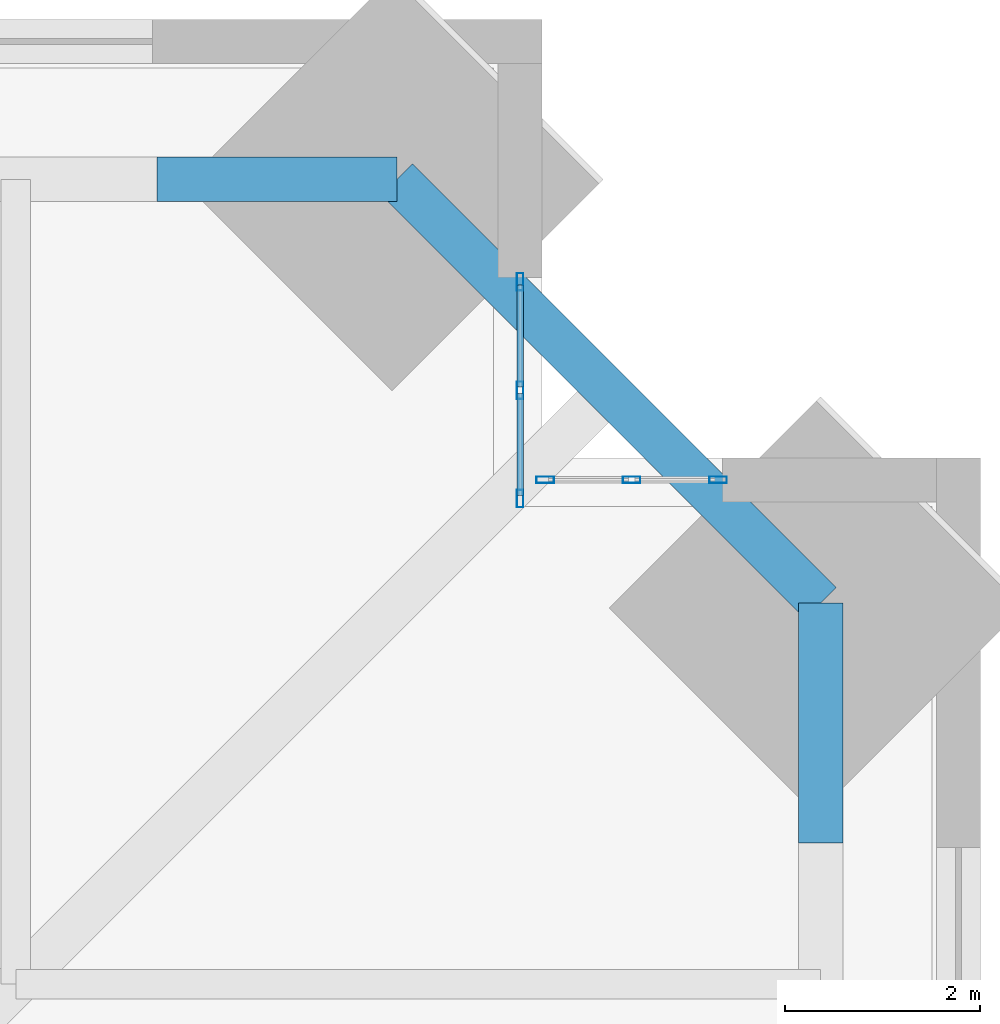
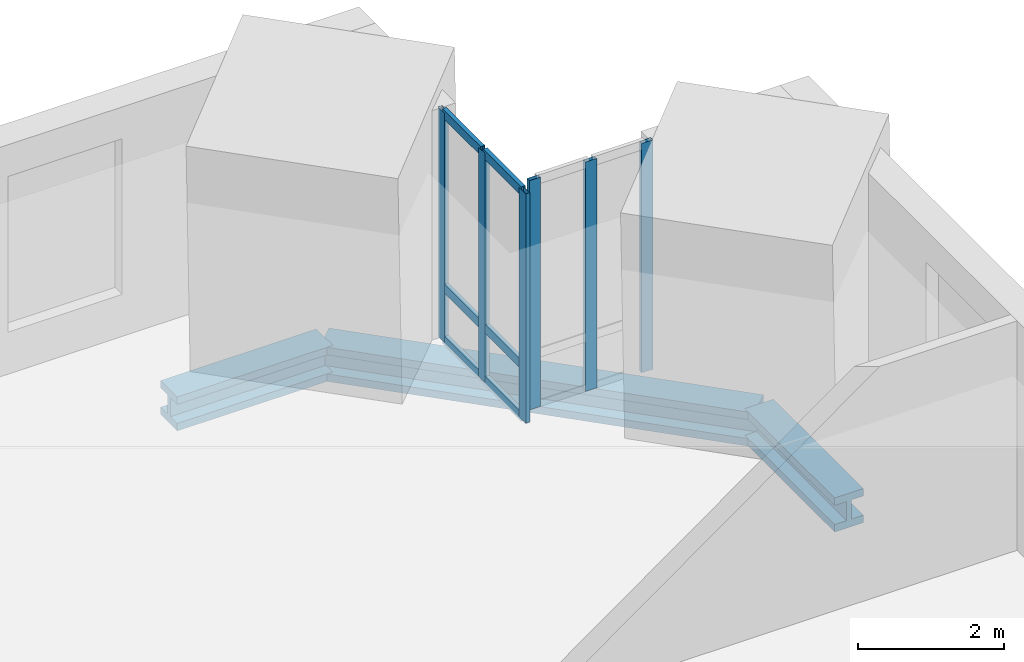
# One storey, part 8 of 15: 14 members, 1 beam, 2 elements without a shape of their own.
"""IFC4 building model written with IfcOpenShell, lengths in metres."""

import ifcopenshell
import ifcopenshell.guid

model = None  # the IFC model being written
_history = None  # IfcOwnerHistory: only IFC2X3 demands one
_inside = {}  # id of a spatial element -> (the spatial element, [elements in it])
_under = {}  # id of a project, library or spatial element -> (it, [spatial elements below it])
_declared = {}  # id of a project -> (the project, [libraries it declares])
_typed = {}  # id of a type object -> (the type object, [elements of that type])
_made_of = {}  # id of a material, layer set ... -> (it, [elements and type objects made of it])


def new_model(schema):
    """Start an empty IFC model of exactly this schema.

    Asked for "IFC4X3", IfcOpenShell would pick the latest addendum, in which some entities
    have other attributes; the version numbers below select the first issue.
    IFC2X3 requires an IfcOwnerHistory on every rooted entity: one is made here for all.
    """
    global model, _history
    if schema == "IFC4X3":
        model = ifcopenshell.file(schema_version=(4, 3, 0, 0))
    else:
        model = ifcopenshell.file(schema=schema)
    _inside.clear()
    _under.clear()
    _declared.clear()
    _typed.clear()
    _made_of.clear()
    _history = None
    if model.schema == "IFC2X3":
        org = make("IfcOrganization", Name="unknown")
        user = make(
            "IfcPersonAndOrganization",
            ThePerson=make("IfcPerson", FamilyName="unknown"),
            TheOrganization=org,
        )
        app = make(
            "IfcApplication",
            ApplicationDeveloper=org,
            Version="unknown",
            ApplicationFullName="unknown",
            ApplicationIdentifier="unknown",
        )
        _history = make(
            "IfcOwnerHistory",
            OwningUser=user,
            OwningApplication=app,
            ChangeAction="ADDED",
            CreationDate=0,
        )
    return model


def make(cls, **values):
    """One entity of the class cls with the attributes given. An attribute that is None is left unset."""
    return model.create_entity(
        cls, **{name: value for name, value in values.items() if value is not None}
    )


def rooted(cls, **values):
    """An entity with a GlobalId (a new one), such as an element, a storey or a relation."""
    return make(cls, GlobalId=ifcopenshell.guid.new(), OwnerHistory=_history, **values)


def si_unit(unit_type, name, prefix=None):
    """IfcSIUnit, for example si_unit("LENGTHUNIT", "METRE", prefix="MILLI")."""
    return make("IfcSIUnit", UnitType=unit_type, Prefix=prefix, Name=name)


def assignment(units):
    """IfcUnitAssignment: the units of a project."""
    return None if units is None else make("IfcUnitAssignment", Units=units)


def point(xyz):
    """IfcCartesianPoint."""
    return None if xyz is None else make("IfcCartesianPoint", Coordinates=xyz)


def direction(xyz):
    """IfcDirection."""
    return None if xyz is None else make("IfcDirection", DirectionRatios=xyz)


def frame(location, z_axis=None, x_axis=None):
    """IfcAxis2Placement3D, a coordinate frame: its origin and axes. An axis left out is left unset."""
    return make(
        "IfcAxis2Placement3D",
        Location=point(location),
        Axis=direction(z_axis),
        RefDirection=direction(x_axis),
    )


def frame_2d(location, x_axis=None):
    """IfcAxis2Placement2D, a coordinate frame in the plane: its origin and x axis."""
    return make(
        "IfcAxis2Placement2D", Location=point(location), RefDirection=direction(x_axis)
    )


def origin():
    """The frame at (0, 0, 0) with its axes left unset."""
    return frame((0.0, 0.0, 0.0))


def origin_2d():
    """The frame at (0, 0) in the plane with its x axis left unset."""
    return frame_2d((0.0, 0.0))


def place(relative_to, where):
    """IfcLocalPlacement: puts the frame where relative to a parent placement (None: the world)."""
    return make(
        "IfcLocalPlacement", PlacementRelTo=relative_to, RelativePlacement=where
    )


def context(
    kind, dimensions, precision=None, world=None, true_north=None, identifier=None
):
    """IfcGeometricRepresentationContext, for example the 3D "Model" context."""
    return make(
        "IfcGeometricRepresentationContext",
        ContextIdentifier=identifier,
        ContextType=kind,
        CoordinateSpaceDimension=dimensions,
        Precision=precision,
        WorldCoordinateSystem=world,
        TrueNorth=true_north,
    )


def subcontext(parent, identifier, kind, view, scale=None):
    """IfcGeometricRepresentationSubContext, for example "Body" below "Model"."""
    return make(
        "IfcGeometricRepresentationSubContext",
        ContextIdentifier=identifier,
        ContextType=kind,
        ParentContext=parent,
        TargetScale=scale,
        TargetView=view,
    )


def project(units=None, contexts=None):
    """IfcProject with its units and contexts."""
    return rooted(
        "IfcProject",
        Name="project",
        RepresentationContexts=contexts,
        UnitsInContext=assignment(units),
    )


def spatial(cls, under=None, at=None, **own):
    """A site, building, storey or space (cls), placed at a placement, below another one or the project."""
    s = rooted(cls, ObjectPlacement=at, **own)
    if under is not None:
        _under.setdefault(under.id(), (under, []))[1].append(s)
    return s


def profile(cls, at=None, kind="AREA", **sizes):
    """A parametric profile (cls). Its sizes go by their IFC names, for example OverallWidth=200.0."""
    return make(cls, ProfileType=kind, Position=at, **sizes)


def hollow_rectangle(**sizes):
    """IfcRectangleHollowProfileDef."""
    return profile("IfcRectangleHollowProfileDef", **sizes)


def i_section(**sizes):
    """IfcIShapeProfileDef."""
    return profile("IfcIShapeProfileDef", **sizes)


def extrude(swept, where, along, depth):
    """IfcExtrudedAreaSolid: the profile swept, set in the frame where, extruded along a direction by depth."""
    return make(
        "IfcExtrudedAreaSolid",
        SweptArea=swept,
        Position=where,
        ExtrudedDirection=direction(along),
        Depth=depth,
    )


def shape(context_of_items, identifier, shape_type, items):
    """IfcShapeRepresentation: the items that make up one representation, for example the "Body"."""
    return make(
        "IfcShapeRepresentation",
        ContextOfItems=context_of_items,
        RepresentationIdentifier=identifier,
        RepresentationType=shape_type,
        Items=items,
    )


def material(Name=None, Category=None):
    """IfcMaterial."""
    return make("IfcMaterial", Name=Name, Category=Category)


def material_profile(
    of_material, cross_section, Name=None, Category=None, Priority=None
):
    """IfcMaterialProfile: a cross section and its material."""
    return make(
        "IfcMaterialProfile",
        Name=Name,
        Material=of_material,
        Profile=cross_section,
        Priority=Priority,
        Category=Category,
    )


def profile_set(profiles, Name=None, composite=None):
    """IfcMaterialProfileSet."""
    return make(
        "IfcMaterialProfileSet",
        Name=Name,
        MaterialProfiles=profiles,
        CompositeProfile=composite,
    )


def made_of(thing, what):
    """Note that an element or type object is made of a material, layer set ...; save() writes the relation."""
    if what is not None:
        _made_of.setdefault(what.id(), (what, []))[1].append(thing)
    return thing


def type_object(cls, material=None, **own):
    """A type object (cls), such as IfcWallType, which elements share."""
    return made_of(rooted(cls, **own), material)


def element(
    cls,
    number,
    at=None,
    inside=None,
    cuts=None,
    type_object=None,
    material=None,
    context=None,
    identifier="Body",
    shape_type=None,
    held_by="IfcProductDefinitionShape",
    body=None,
    shapes=None,
    **own,
):
    """One element of the class cls, such as IfcWall. Its Tag is "e" and its number.

    at: its placement. inside: the storey or other place that contains it. cuts: it is an
    opening in that element (IfcRelVoidsElement). A single representation is given by context,
    identifier, shape_type and body (its items); several are given by shapes. held_by: the class
    of the entity that holds the representations. save() writes the other relations.
    """
    e = rooted(cls, Tag="e%d" % number, ObjectPlacement=at, **own)
    if body is not None:
        shapes = [shape(context, identifier, shape_type, body)]
    if shapes is not None:
        e.Representation = make(held_by, Representations=shapes)
    if inside is not None:
        _inside.setdefault(inside.id(), (inside, []))[1].append(e)
    if cuts is not None:
        rooted(
            "IfcRelVoidsElement", RelatingBuildingElement=cuts, RelatedOpeningElement=e
        )
    if type_object is not None:
        _typed.setdefault(type_object.id(), (type_object, []))[1].append(e)
    return made_of(e, material)


def aggregate(whole, parts):
    """IfcRelAggregates: a whole, such as a stair, and the parts it consists of."""
    return rooted("IfcRelAggregates", RelatingObject=whole, RelatedObjects=parts)


def save(model, path):
    """Write the relations noted so far, then the file.

    IfcRelAggregates (storeys below a building ...), IfcRelContainedInSpatialStructure (elements
    in a storey), IfcRelDefinesByType, IfcRelAssociatesMaterial and IfcRelDeclares: one each for
    every whole, place, type object, material and project.
    """
    for whole, parts in _under.values():
        aggregate(whole, parts)
    for where, things in _inside.values():
        rooted(
            "IfcRelContainedInSpatialStructure",
            RelatedElements=things,
            RelatingStructure=where,
        )
    for kind, things in _typed.values():
        rooted("IfcRelDefinesByType", RelatedObjects=things, RelatingType=kind)
    for what, things in _made_of.values():
        rooted("IfcRelAssociatesMaterial", RelatedObjects=things, RelatingMaterial=what)
    for by, libraries in _declared.values():
        rooted("IfcRelDeclares", RelatingContext=by, RelatedDefinitions=libraries)
    model.write(path)


model = new_model("IFC4")

# Units and contexts
model_context = context("Model", 3, precision=1e-05, world=origin(), true_north=direction((0.0, 1.0)))
body_context = subcontext(model_context, "Body", "Model", "MODEL_VIEW")
ifc_project = project(units=[si_unit("LENGTHUNIT", "METRE"), si_unit("AREAUNIT", "SQUARE_METRE"), si_unit("VOLUMEUNIT", "CUBIC_METRE"), si_unit("PLANEANGLEUNIT", "RADIAN"), si_unit("MASSUNIT", "GRAM", prefix="KILO")], contexts=[model_context])

# Site, building, storey
site_placement = place(None, origin())
site = spatial("IfcSite", under=ifc_project, at=site_placement, CompositionType="ELEMENT")
building_placement = place(site_placement, origin())
building = spatial("IfcBuilding", under=site, at=building_placement, Name="Peilmerk Tower", CompositionType="ELEMENT")
storey_placement = place(building_placement, frame((0.0, 0.0, 201.800048828125)))
storey = spatial("IfcBuildingStorey", under=building, at=storey_placement, Name="L43", CompositionType="ELEMENT", Elevation=201.800048828125)

# Beam
ifc_material_1 = material(Name="Steel S460", Category="steel")
ifc_material_profile_1 = material_profile(ifc_material_1, i_section(OverallWidth=0.4541015625, OverallDepth=0.569091796875, WebThickness=0.077880859375, FlangeThickness=0.125, at=origin_2d()), Name="HD 400x1086")
ifc_profile_set_1 = profile_set([ifc_material_profile_1], Name="Steel S460")
beam_type = type_object("IfcBeamType", Name="B17 HD 400x1086 edge beam", PredefinedType="SPANDREL", material=ifc_profile_set_1)
beam_placement = place(storey_placement, frame((18.40966796875, 22.759765625, -0.45458984375), z_axis=(0.707106781187, -0.707106781187, 0.0), x_axis=(0.707106781187, 0.707106781187, 0.0)))
element("IfcBeam", 1, at=beam_placement, inside=storey, type_object=beam_type, Name="Notch beam L43", PredefinedType="SPANDREL", context=body_context, shape_type="SweptSolid", body=[
    extrude(i_section(OverallWidth=0.4541015625, OverallDepth=0.569091796875, WebThickness=0.077880859375, FlangeThickness=0.125, at=origin_2d()), origin(), (0.0, 0.0, 1.0), 6.15185546875),
])

# Curtain wall, members
ifc_material_2 = material(Name="Aluminium stick curtain wall", Category="aluminium")
curtain_wall_type = type_object("IfcCurtainWallType", Name="CW4 stick curtain wall, 2250 module", PredefinedType="NOTDEFINED", material=ifc_material_2)
curtain_wall_1_placement = place(storey_placement, origin())
curtain_wall_1 = element("IfcCurtainWall", 2, at=curtain_wall_1_placement, inside=storey, type_object=curtain_wall_type, Name="Curtain wall CW4 NEA L43", PredefinedType="NOTDEFINED")
ifc_material_3 = material(Name="Aluminium EN AW-6063 T6", Category="aluminium")
ifc_material_profile_2 = material_profile(ifc_material_3, hollow_rectangle(XDim=0.06494140625, YDim=0.179931640625, WallThickness=0.0029296875, at=origin_2d()), Name="AL 180x65x3")
ifc_profile_set_2 = profile_set([ifc_material_profile_2], Name="Aluminium EN AW-6063 T6")
member_type_1 = type_object("IfcMemberType", Name="CW4-M AL 180x65x3 mullion", PredefinedType="MULLION", material=ifc_profile_set_2)
member_1_placement = place(storey_placement, frame((19.675048828125, 19.482421875, 0.0), z_axis=(0.0, 0.0, 1.0), x_axis=(-1.0, 0.0, 0.0)))
member_1 = element("IfcMember", 3, at=member_1_placement, type_object=member_type_1, Name="CW4 mullion 1", PredefinedType="MULLION", context=body_context, shape_type="SweptSolid", body=[
    extrude(hollow_rectangle(XDim=0.06494140625, YDim=0.179931640625, WallThickness=0.0029296875, at=origin_2d()), origin(), (0.0, 0.0, 1.0), 3.829833984375),
])
member_2_placement = place(storey_placement, frame((19.675048828125, 20.59423828125, 0.0), z_axis=(0.0, 0.0, 1.0), x_axis=(-1.0, 0.0, 0.0)))
member_2 = element("IfcMember", 4, at=member_2_placement, type_object=member_type_1, Name="CW4 mullion 2", PredefinedType="MULLION", context=body_context, shape_type="SweptSolid", body=[
    extrude(hollow_rectangle(XDim=0.06494140625, YDim=0.179931640625, WallThickness=0.0029296875, at=origin_2d()), origin(), (0.0, 0.0, 1.0), 3.829833984375),
])
member_3_placement = place(storey_placement, frame((19.675048828125, 21.706298828125, 0.0), z_axis=(0.0, 0.0, 1.0), x_axis=(-1.0, 0.0, 0.0)))
member_3 = element("IfcMember", 5, at=member_3_placement, type_object=member_type_1, Name="CW4 mullion 3", PredefinedType="MULLION", context=body_context, shape_type="SweptSolid", body=[
    extrude(hollow_rectangle(XDim=0.06494140625, YDim=0.179931640625, WallThickness=0.0029296875, at=origin_2d()), origin(), (0.0, 0.0, 1.0), 3.829833984375),
])

curtain_wall_2_placement = place(storey_placement, origin())
curtain_wall_2 = element("IfcCurtainWall", 6, at=curtain_wall_2_placement, inside=storey, type_object=curtain_wall_type, Name="Curtain wall CW4 NEB L43", PredefinedType="NOTDEFINED")
member_4_placement = place(storey_placement, frame((19.9326171875, 19.675048828125, 0.0), z_axis=(0.0, 0.0, 1.0), x_axis=(0.0, 1.0, 0.0)))
member_4 = element("IfcMember", 7, at=member_4_placement, type_object=member_type_1, Name="CW4 mullion 1", PredefinedType="MULLION", context=body_context, shape_type="SweptSolid", body=[
    extrude(hollow_rectangle(XDim=0.06494140625, YDim=0.179931640625, WallThickness=0.0029296875, at=origin_2d()), origin(), (0.0, 0.0, 1.0), 3.829833984375),
])
member_5_placement = place(storey_placement, frame((20.8193359375, 19.675048828125, 0.0), z_axis=(0.0, 0.0, 1.0), x_axis=(0.0, 1.0, 0.0)))
member_5 = element("IfcMember", 8, at=member_5_placement, type_object=member_type_1, Name="CW4 mullion 2", PredefinedType="MULLION", context=body_context, shape_type="SweptSolid", body=[
    extrude(hollow_rectangle(XDim=0.06494140625, YDim=0.179931640625, WallThickness=0.0029296875, at=origin_2d()), origin(), (0.0, 0.0, 1.0), 3.829833984375),
])
member_6_placement = place(storey_placement, frame((21.706298828125, 19.675048828125, 0.0), z_axis=(0.0, 0.0, 1.0), x_axis=(0.0, 1.0, 0.0)))
member_6 = element("IfcMember", 9, at=member_6_placement, type_object=member_type_1, Name="CW4 mullion 3", PredefinedType="MULLION", context=body_context, shape_type="SweptSolid", body=[
    extrude(hollow_rectangle(XDim=0.06494140625, YDim=0.179931640625, WallThickness=0.0029296875, at=origin_2d()), origin(), (0.0, 0.0, 1.0), 3.829833984375),
])
aggregate(curtain_wall_2, [member_4, member_5, member_6])

# Member
ifc_material_profile_3 = material_profile(ifc_material_3, hollow_rectangle(XDim=0.06494140625, YDim=0.14990234375, WallThickness=0.0029296875, at=origin_2d()), Name="AL 150x65x3")
ifc_profile_set_3 = profile_set([ifc_material_profile_3], Name="Aluminium EN AW-6063 T6")
member_type_2 = type_object("IfcMemberType", Name="CW4-T AL 150x65x3 transom", PredefinedType="USERDEFINED", material=ifc_profile_set_3)
member_7_placement = place(storey_placement, frame((19.675048828125, 19.514892578125, 0.032470703125), z_axis=(0.0, 1.0, 0.0), x_axis=(-1.0, 0.0, 0.0)))
member_7 = element("IfcMember", 10, at=member_7_placement, type_object=member_type_2, Name="CW4 transom 1.1", ObjectType="TRANSOM", PredefinedType="USERDEFINED", context=body_context, shape_type="SweptSolid", body=[
    extrude(hollow_rectangle(XDim=0.06494140625, YDim=0.14990234375, WallThickness=0.0029296875, at=origin_2d()), origin(), (0.0, 0.0, 1.0), 1.046875),
])

member_8_placement = place(storey_placement, frame((19.675048828125, 19.514892578125, 0.89990234375), z_axis=(0.0, 1.0, 0.0), x_axis=(-1.0, 0.0, 0.0)))
member_8 = element("IfcMember", 11, at=member_8_placement, type_object=member_type_2, Name="CW4 transom 1.2", ObjectType="TRANSOM", PredefinedType="USERDEFINED", context=body_context, shape_type="SweptSolid", body=[
    extrude(hollow_rectangle(XDim=0.06494140625, YDim=0.14990234375, WallThickness=0.0029296875, at=origin_2d()), origin(), (0.0, 0.0, 1.0), 1.046875),
])

member_9_placement = place(storey_placement, frame((19.675048828125, 19.514892578125, 3.79736328125), z_axis=(0.0, 1.0, 0.0), x_axis=(-1.0, 0.0, 0.0)))
member_9 = element("IfcMember", 12, at=member_9_placement, type_object=member_type_2, Name="CW4 transom 1.3", ObjectType="TRANSOM", PredefinedType="USERDEFINED", context=body_context, shape_type="SweptSolid", body=[
    extrude(hollow_rectangle(XDim=0.06494140625, YDim=0.14990234375, WallThickness=0.0029296875, at=origin_2d()), origin(), (0.0, 0.0, 1.0), 1.046875),
])

member_10_placement = place(storey_placement, frame((19.675048828125, 20.626953125, 0.032470703125), z_axis=(0.0, 1.0, 0.0), x_axis=(-1.0, 0.0, 0.0)))
member_10 = element("IfcMember", 13, at=member_10_placement, type_object=member_type_2, Name="CW4 transom 2.1", ObjectType="TRANSOM", PredefinedType="USERDEFINED", context=body_context, shape_type="SweptSolid", body=[
    extrude(hollow_rectangle(XDim=0.06494140625, YDim=0.14990234375, WallThickness=0.0029296875, at=origin_2d()), origin(), (0.0, 0.0, 1.0), 1.046630859375),
])

member_11_placement = place(storey_placement, frame((19.675048828125, 20.626953125, 0.89990234375), z_axis=(0.0, 1.0, 0.0), x_axis=(-1.0, 0.0, 0.0)))
member_11 = element("IfcMember", 14, at=member_11_placement, type_object=member_type_2, Name="CW4 transom 2.2", ObjectType="TRANSOM", PredefinedType="USERDEFINED", context=body_context, shape_type="SweptSolid", body=[
    extrude(hollow_rectangle(XDim=0.06494140625, YDim=0.14990234375, WallThickness=0.0029296875, at=origin_2d()), origin(), (0.0, 0.0, 1.0), 1.046630859375),
])

member_12_placement = place(storey_placement, frame((19.675048828125, 20.626953125, 3.79736328125), z_axis=(0.0, 1.0, 0.0), x_axis=(-1.0, 0.0, 0.0)))
member_12 = element("IfcMember", 15, at=member_12_placement, type_object=member_type_2, Name="CW4 transom 2.3", ObjectType="TRANSOM", PredefinedType="USERDEFINED", context=body_context, shape_type="SweptSolid", body=[
    extrude(hollow_rectangle(XDim=0.06494140625, YDim=0.14990234375, WallThickness=0.0029296875, at=origin_2d()), origin(), (0.0, 0.0, 1.0), 1.046630859375),
])

aggregate(curtain_wall_1, [member_1, member_2, member_3, member_7, member_8, member_9, member_10, member_11, member_12])

# Members
ifc_material_profile_4 = material_profile(ifc_material_1, i_section(OverallWidth=0.4541015625, OverallDepth=0.569091796875, WebThickness=0.077880859375, FlangeThickness=0.125, at=origin_2d()), Name="HD 400x1086")
ifc_profile_set_4 = profile_set([ifc_material_profile_4], Name="Steel S460")
member_type_3 = type_object("IfcMemberType", Name="M1 HD 400x1086 belt truss chord", PredefinedType="CHORD", material=ifc_profile_set_4)
for number, where, z_axis, x_axis, name in (
    (16, (18.40966796875, 22.759765625, -0.45458984375), (-1.0, 0.0, 0.0), (0.0, -1.0, 0.0), "Belt truss chord L43"),
    (17, (22.759765625, 15.949951171875, -0.45458984375), (0.0, 1.0, 0.0), (-1.0, 0.0, 0.0), "Belt truss chord L43"),
):
    element("IfcMember", number, at=place(storey_placement, frame(where, z_axis=z_axis, x_axis=x_axis)), inside=storey, type_object=member_type_3, Name=name, PredefinedType="CHORD", context=body_context, shape_type="SweptSolid", body=[
        extrude(i_section(OverallWidth=0.4541015625, OverallDepth=0.569091796875, WebThickness=0.077880859375, FlangeThickness=0.125, at=origin_2d()), origin(), (0.0, 0.0, 1.0), 2.459716796875),
    ])

save(model, "model.ifc")
